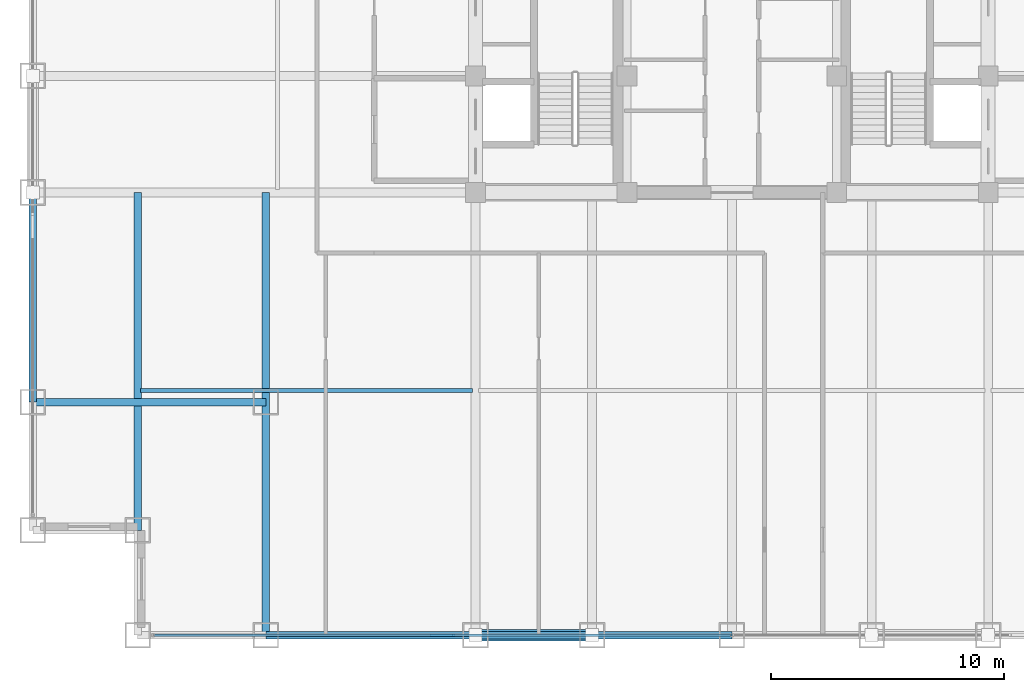
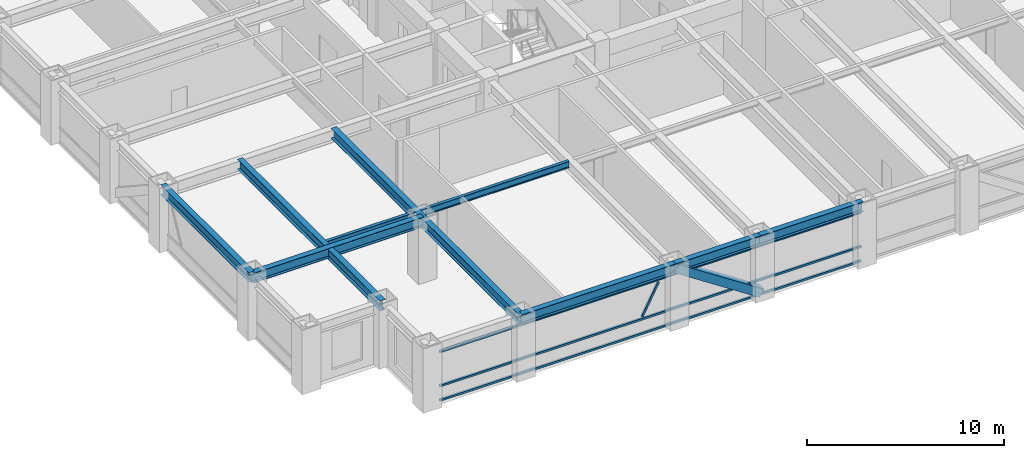
# One storey, part 3 of 24: 8 beams, 5 members, 1 element without a shape of its own.
"""IFC4 building model written with IfcOpenShell, lengths in metres."""

from ifc_helpers import new_model, si_unit, direction, frame, origin, origin_2d, place, context, subcontext, project, spatial, hollow_rectangle, i_section, extrude, source, transform, mapped, material, material_profile, profile_set, type_object, element, aggregate, save


model = new_model("IFC4")

# Units and contexts
model_context = context("Model", 3, precision=1e-05, world=origin(), true_north=direction((0.0, 1.0)))
body_context = subcontext(model_context, "Body", "Model", "MODEL_VIEW")
ifc_project = project(units=[si_unit("LENGTHUNIT", "METRE"), si_unit("AREAUNIT", "SQUARE_METRE"), si_unit("VOLUMEUNIT", "CUBIC_METRE"), si_unit("PLANEANGLEUNIT", "RADIAN"), si_unit("MASSUNIT", "GRAM", prefix="KILO")], contexts=[model_context])

# Site, building, storey
site_placement = place(None, origin())
site = spatial("IfcSite", under=ifc_project, at=site_placement, CompositionType="ELEMENT")
building_placement = place(site_placement, origin())
building = spatial("IfcBuilding", under=site, at=building_placement, Name="Khorayat Bourse Tower", CompositionType="ELEMENT")
storey_placement = place(building_placement, frame((0.0, 0.0, 203.10009765625)))
storey = spatial("IfcBuildingStorey", under=building, at=storey_placement, Name="L47", CompositionType="ELEMENT", Elevation=203.10009765625)

# Beams
ifc_material_1 = material(Name="Steel ASTM A992 Grade 50", Category="steel")
ifc_material_profile_1 = material_profile(ifc_material_1, i_section(OverallWidth=0.324951171875, OverallDepth=0.615966796875, WebThickness=0.013916015625, FlangeThickness=0.021484375, FilletRadius=0.01611328125, at=origin_2d()), Name="W610X174")
ifc_profile_set_1 = profile_set([ifc_material_profile_1], Name="Steel ASTM A992 Grade 50")
beam_type_1 = type_object("IfcBeamType", Name="BM-GIRD-610", PredefinedType="BEAM", material=ifc_profile_set_1)
shared_shape_1 = source(origin(), body_context, "Body", "SweptSolid", [
    extrude(i_section(OverallWidth=0.324951171875, OverallDepth=0.615966796875, WebThickness=0.013916015625, FlangeThickness=0.021484375, FilletRadius=0.01611328125, at=origin_2d()), origin(), (0.0, 0.0, 1.0), 19.0),
])
beam_1_placement = place(storey_placement, frame((-20.0, -30.0, 3.471923828125), z_axis=(0.0, 1.0, 0.0), x_axis=(-1.0, 0.0, 0.0)))
element("IfcBeam", 1, at=beam_1_placement, inside=storey, type_object=beam_type_1, Name="L47 BM-GIRD-610 BM-L47-CNRY-084", PredefinedType="BEAM", context=body_context, shape_type="MappedRepresentation", body=[
    mapped(shared_shape_1, transform((0.0, 0.0, 0.0), scale=1.0)),
])
shared_shape_2 = source(origin(), body_context, "Body", "SweptSolid", [
    extrude(i_section(OverallWidth=0.324951171875, OverallDepth=0.615966796875, WebThickness=0.013916015625, FlangeThickness=0.021484375, FilletRadius=0.01611328125, at=origin_2d()), origin(), (0.0, 0.0, 1.0), 14.5),
])
beam_2_placement = place(storey_placement, frame((-25.5, -25.5, 3.471923828125), z_axis=(0.0, 1.0, 0.0), x_axis=(-1.0, 0.0, 0.0)))
element("IfcBeam", 2, at=beam_2_placement, inside=storey, type_object=beam_type_1, Name="L47 BM-GIRD-610 BM-L47-CNRY-088", PredefinedType="BEAM", context=body_context, shape_type="MappedRepresentation", body=[
    mapped(shared_shape_2, transform((0.0, 0.0, 0.0), scale=1.0)),
])
shared_shape_3 = source(origin(), body_context, "Body", "SweptSolid", [
    extrude(i_section(OverallWidth=0.324951171875, OverallDepth=0.615966796875, WebThickness=0.013916015625, FlangeThickness=0.021484375, FilletRadius=0.01611328125, at=origin_2d()), origin(), (0.0, 0.0, 1.0), 10.0),
])
beam_3_placement = place(storey_placement, frame((-30.0, -20.0, 3.471923828125), z_axis=(1.0, 0.0, 0.0), x_axis=(0.0, 1.0, 0.0)))
element("IfcBeam", 3, at=beam_3_placement, inside=storey, type_object=beam_type_1, Name="L47 BM-GIRD-610 BM-L47-CNRX-093", PredefinedType="BEAM", context=body_context, shape_type="MappedRepresentation", body=[
    mapped(shared_shape_3, transform((0.0, 0.0, 0.0), scale=1.0)),
])
ifc_material_profile_2 = material_profile(ifc_material_1, i_section(OverallWidth=0.180908203125, OverallDepth=0.4169921875, WebThickness=0.010986328125, FlangeThickness=0.018310546875, FilletRadius=0.011962890625, at=origin_2d()), Name="W410X85")
ifc_profile_set_2 = profile_set([ifc_material_profile_2], Name="Steel ASTM A992 Grade 50")
beam_type_2 = type_object("IfcBeamType", Name="BM-JOIST-410", PredefinedType="JOIST", material=ifc_profile_set_2)
shared_shape_4 = source(origin(), body_context, "Body", "SweptSolid", [
    extrude(i_section(OverallWidth=0.180908203125, OverallDepth=0.4169921875, WebThickness=0.010986328125, FlangeThickness=0.018310546875, FilletRadius=0.011962890625, at=origin_2d()), origin(), (0.0, 0.0, 1.0), 14.240234375),
])
beam_4_placement = place(storey_placement, frame((-25.3701171875, -19.5, 3.5712890625), z_axis=(1.0, 0.0, 0.0), x_axis=(0.0, 1.0, 0.0)))
element("IfcBeam", 4, at=beam_4_placement, inside=storey, type_object=beam_type_2, Name="L47 BM-JOIST-410 BM-L47-JSTX-096", PredefinedType="JOIST", context=body_context, shape_type="MappedRepresentation", body=[
    mapped(shared_shape_4, transform((0.0, 0.0, 0.0), scale=1.0)),
])
ifc_material_profile_3 = material_profile(ifc_material_1, i_section(OverallWidth=0.324951171875, OverallDepth=0.615966796875, WebThickness=0.013916015625, FlangeThickness=0.021484375, FilletRadius=0.01611328125, at=origin_2d()), Name="W610X174")
ifc_profile_set_3 = profile_set([ifc_material_profile_3], Name="Steel ASTM A992 Grade 50")
beam_type_3 = type_object("IfcBeamType", Name="BM-SPAN-610", PredefinedType="SPANDREL", material=ifc_profile_set_3)
shared_shape_5 = source(origin(), body_context, "Body", "SweptSolid", [
    extrude(i_section(OverallWidth=0.324951171875, OverallDepth=0.615966796875, WebThickness=0.013916015625, FlangeThickness=0.021484375, FilletRadius=0.01611328125, at=origin_2d()), origin(), (0.0, 0.0, 1.0), 9.0),
])
for number, where, z_axis, x_axis, name in (
    (5, (-20.0, -30.0, 3.471923828125), (1.0, 0.0, 0.0), (0.0, 1.0, 0.0), "L47 BM-SPAN-610 BM-L47-SPN-025"),
    (6, (-30.0, -20.0, 3.471923828125), (0.0, 1.0, 0.0), (-1.0, 0.0, 0.0), "L47 BM-SPAN-610 BM-L47-SPN-060"),
):
    element("IfcBeam", number, at=place(storey_placement, frame(where, z_axis=z_axis, x_axis=x_axis)), inside=storey, type_object=beam_type_3, Name=name, PredefinedType="SPANDREL", context=body_context, shape_type="MappedRepresentation", body=[
        mapped(shared_shape_5, transform((0.0, 0.0, 0.0), scale=1.0)),
    ])
shared_shape_6 = source(origin(), body_context, "Body", "SweptSolid", [
    extrude(i_section(OverallWidth=0.324951171875, OverallDepth=0.615966796875, WebThickness=0.013916015625, FlangeThickness=0.021484375, FilletRadius=0.01611328125, at=origin_2d()), origin(), (0.0, 0.0, 1.0), 5.0),
])
beam_5_placement = place(storey_placement, frame((-11.0, -30.0, 3.471923828125), z_axis=(1.0, 0.0, 0.0), x_axis=(0.0, 1.0, 0.0)))
element("IfcBeam", 7, at=beam_5_placement, inside=storey, type_object=beam_type_3, Name="L47 BM-SPAN-610 BM-L47-SPN-026", PredefinedType="SPANDREL", context=body_context, shape_type="MappedRepresentation", body=[
    mapped(shared_shape_6, transform((0.0, 0.0, 0.0), scale=1.0)),
])
shared_shape_7 = source(origin(), body_context, "Body", "SweptSolid", [
    extrude(i_section(OverallWidth=0.324951171875, OverallDepth=0.615966796875, WebThickness=0.013916015625, FlangeThickness=0.021484375, FilletRadius=0.01611328125, at=origin_2d()), origin(), (0.0, 0.0, 1.0), 6.0),
])
beam_6_placement = place(storey_placement, frame((-6.0, -30.0, 3.471923828125), z_axis=(1.0, 0.0, 0.0), x_axis=(0.0, 1.0, 0.0)))
element("IfcBeam", 8, at=beam_6_placement, inside=storey, type_object=beam_type_3, Name="L47 BM-SPAN-610 BM-L47-SPN-027", PredefinedType="SPANDREL", context=body_context, shape_type="MappedRepresentation", body=[
    mapped(shared_shape_7, transform((0.0, 0.0, 0.0), scale=1.0)),
])

# Member
ifc_material_2 = material(Name="Steel EN 10025-4 S460M", Category="steel")
ifc_material_profile_4 = material_profile(ifc_material_2, hollow_rectangle(XDim=0.5, YDim=0.5, WallThickness=0.028076171875, at=origin_2d()), Name="HSS 500x500x28")
ifc_profile_set_4 = profile_set([ifc_material_profile_4], Name="Steel EN 10025-4 S460M")
member_type_1 = type_object("IfcMemberType", Name="MBR-TUBE-500", PredefinedType="BRACE", material=ifc_profile_set_4)
shared_shape_8 = source(origin(), body_context, "Body", "SweptSolid", [
    extrude(hollow_rectangle(XDim=0.5, YDim=0.5, WallThickness=0.028076171875, at=origin_2d()), origin(), (0.0, 0.0, 1.0), 5.979736328125),
])
member_1_placement = place(storey_placement, frame((-11.0, -30.0, 3.52978515625), z_axis=(0.836160261256, 0.0, -0.548485202623), x_axis=(0.0, 1.0, 0.0)))
element("IfcMember", 9, at=member_1_placement, inside=storey, type_object=member_type_1, Name="L47 Perimeter Tube Brace 01", PredefinedType="BRACE", context=body_context, shape_type="MappedRepresentation", body=[
    mapped(shared_shape_8, transform((0.0, 0.0, 0.0), scale=1.0)),
])

# Curtain wall, members
ifc_material_3 = material(Name="Aluminium EN AW-6063 T6", Category="aluminium")
curtain_wall_type = type_object("IfcCurtainWallType", Name="CW-SYS-03", PredefinedType="NOTDEFINED", material=ifc_material_3)
curtain_wall_placement = place(storey_placement, origin())
curtain_wall = element("IfcCurtainWall", 10, at=curtain_wall_placement, inside=storey, type_object=curtain_wall_type, Name="L47 Curtain Wall CW-L47-S1", PredefinedType="NOTDEFINED")
ifc_material_profile_5 = material_profile(ifc_material_3, hollow_rectangle(XDim=0.1201171875, YDim=0.1201171875, WallThickness=0.0048828125, at=origin_2d()), Name="ALU 120x120x5")
ifc_profile_set_5 = profile_set([ifc_material_profile_5], Name="Aluminium EN AW-6063 T6")
member_type_2 = type_object("IfcMemberType", Name="CWM-DIAG-120", PredefinedType="MULLION", material=ifc_profile_set_5)
shared_shape_9 = source(origin(), body_context, "Body", "SweptSolid", [
    extrude(hollow_rectangle(XDim=0.1201171875, YDim=0.1201171875, WallThickness=0.0048828125, at=origin_2d()), origin(), (0.0, 0.0, 1.0), 2.079345703125),
])
member_2_placement = place(storey_placement, frame((-12.904296875, -30.0, 1.08984375), z_axis=(0.465760949701, 0.0, 0.884910581773), x_axis=(0.0, 1.0, 0.0)))
member_2 = element("IfcMember", 11, at=member_2_placement, type_object=member_type_2, Name="CW-L47-S1 Faceted Diagonal Mullion 1", PredefinedType="MULLION", context=body_context, shape_type="MappedRepresentation", body=[
    mapped(shared_shape_9, transform((0.0, 0.0, 0.0), scale=1.0)),
])
ifc_material_profile_6 = material_profile(ifc_material_3, hollow_rectangle(XDim=0.1201171875, YDim=0.1201171875, WallThickness=0.0048828125, at=origin_2d()), Name="ALU 120x120x5")
ifc_profile_set_6 = profile_set([ifc_material_profile_6], Name="Aluminium EN AW-6063 T6")
member_type_3 = type_object("IfcMemberType", Name="CWT-HORZ-120", PredefinedType="USERDEFINED", material=ifc_profile_set_6)
shared_shape_10 = source(origin(), body_context, "Body", "SweptSolid", [
    extrude(hollow_rectangle(XDim=0.1201171875, YDim=0.1201171875, WallThickness=0.0048828125, at=origin_2d()), origin(), (0.0, 0.0, 1.0), 24.719970703125),
])
member_3_placement = place(storey_placement, frame((-24.780029296875, -30.0, 0.059814453125), z_axis=(1.0, 0.0, 0.0), x_axis=(0.0, 1.0, 0.0)))
member_3 = element("IfcMember", 12, at=member_3_placement, type_object=member_type_3, Name="CW-L47-S1 Horizontal Transom 1-1", ObjectType="TRANSOM", PredefinedType="USERDEFINED", context=body_context, shape_type="MappedRepresentation", body=[
    mapped(shared_shape_10, transform((0.0, 0.0, 0.0), scale=1.0)),
])
member_4_placement = place(storey_placement, frame((-24.780029296875, -30.0, 0.949951171875), z_axis=(1.0, 0.0, 0.0), x_axis=(0.0, 1.0, 0.0)))
member_4 = element("IfcMember", 13, at=member_4_placement, type_object=member_type_3, Name="CW-L47-S1 Horizontal Transom 1-2", ObjectType="TRANSOM", PredefinedType="USERDEFINED", context=body_context, shape_type="MappedRepresentation", body=[
    mapped(shared_shape_10, transform((0.0, 0.0, 0.0), scale=1.0)),
])
member_5_placement = place(storey_placement, frame((-24.780029296875, -30.0, 3.06982421875), z_axis=(1.0, 0.0, 0.0), x_axis=(0.0, 1.0, 0.0)))
member_5 = element("IfcMember", 14, at=member_5_placement, type_object=member_type_3, Name="CW-L47-S1 Horizontal Transom 1-3", ObjectType="TRANSOM", PredefinedType="USERDEFINED", context=body_context, shape_type="MappedRepresentation", body=[
    mapped(shared_shape_10, transform((0.0, 0.0, 0.0), scale=1.0)),
])
aggregate(curtain_wall, [member_3, member_4, member_5, member_2])

save(model, "model.ifc")
